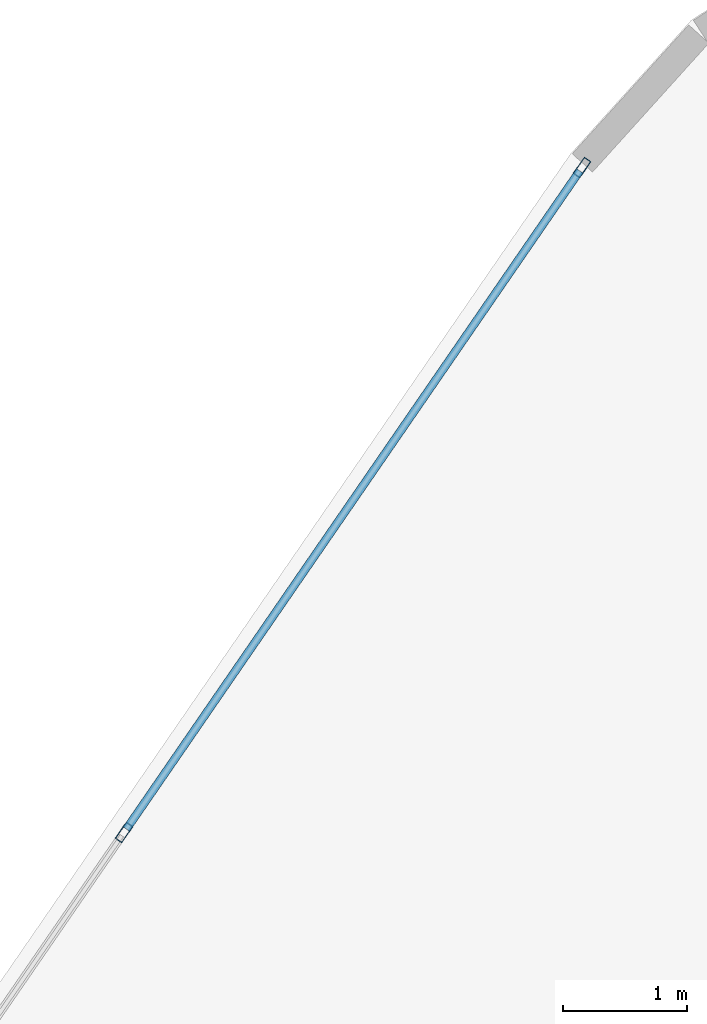
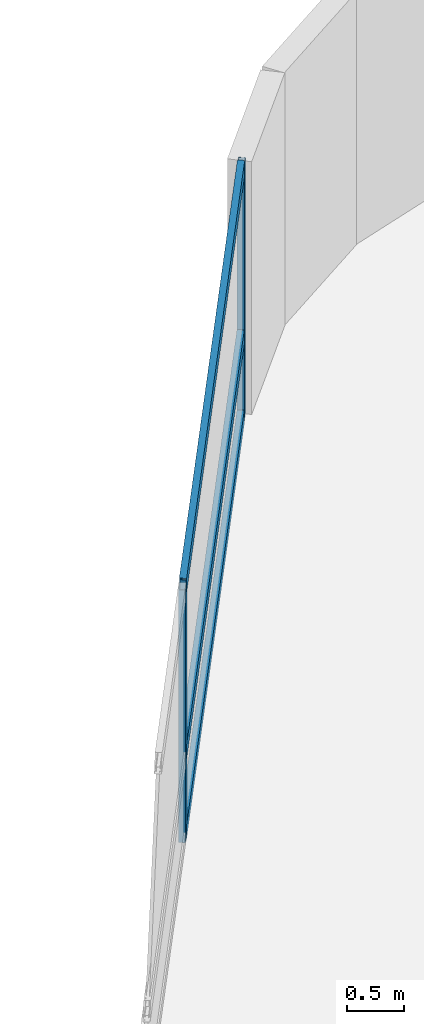
# One storey, part 17 of 26: 5 members, 1 element without a shape of its own.
"""IFC4 building model written with IfcOpenShell, lengths in metres."""

from ifc_helpers import new_model, si_unit, direction, frame, origin, origin_2d, place, context, subcontext, project, spatial, hollow_rectangle, extrude, material, layer, layer_set, material_profile, profile_set, type_object, element, aggregate, save


model = new_model("IFC4")

# Units and contexts
model_context = context("Model", 3, precision=1e-05, world=origin(), true_north=direction((0.0, 1.0)))
body_context = subcontext(model_context, "Body", "Model", "MODEL_VIEW")
ifc_project = project(units=[si_unit("LENGTHUNIT", "METRE"), si_unit("AREAUNIT", "SQUARE_METRE"), si_unit("VOLUMEUNIT", "CUBIC_METRE"), si_unit("PLANEANGLEUNIT", "RADIAN"), si_unit("MASSUNIT", "GRAM", prefix="KILO")], contexts=[model_context])

# Site, building, storey
site_placement = place(None, origin())
site = spatial("IfcSite", under=ifc_project, at=site_placement, CompositionType="ELEMENT")
building_placement = place(site_placement, origin())
building = spatial("IfcBuilding", under=site, at=building_placement, Name="Varnelok Gate Tower", CompositionType="ELEMENT")
storey_placement = place(building_placement, frame((0.0, 0.0, 45.5)))
storey = spatial("IfcBuildingStorey", under=building, at=storey_placement, Name="L10", CompositionType="ELEMENT", Elevation=45.5)

# Curtain wall, members
ifc_material = material(Name="Anodized Aluminum Alloy 6063-T6", Category="aluminium")
ifc_layer = layer(ifc_material, 0.179931640625)
ifc_layer_set = layer_set([ifc_layer], Name="Anodized Aluminum Alloy 6063-T6")
curtain_wall_type = type_object("IfcCurtainWallType", Name="CW3-HOTEL-VISION", PredefinedType="USERDEFINED", material=ifc_layer_set)
curtain_wall_placement = place(storey_placement, origin())
curtain_wall = element("IfcCurtainWall", 1, at=curtain_wall_placement, inside=storey, type_object=curtain_wall_type, Name="L10 West End Vision Curtain Wall", ObjectType="UNITISED CURTAIN WALL", PredefinedType="USERDEFINED")
ifc_material_profile_1 = material_profile(ifc_material, hollow_rectangle(XDim=0.06494140625, YDim=0.159912109375, WallThickness=0.00390625, at=origin_2d()), Name="ALU160X65X4")
ifc_profile_set_1 = profile_set([ifc_material_profile_1], Name="Anodized Aluminum Alloy 6063-T6")
member_type_1 = type_object("IfcMemberType", Name="CW-MULL-160", PredefinedType="MULLION", material=ifc_profile_set_1)
member_1_placement = place(storey_placement, frame((14.48291015625, 58.273193359375, 0.0), z_axis=(0.0, 0.0, 1.0), x_axis=(-0.823532685111, 0.567268822124, 0.0)))
member_1 = element("IfcMember", 2, at=member_1_placement, type_object=member_type_1, Name="CW3 mullion 6", PredefinedType="MULLION", context=body_context, shape_type="SweptSolid", body=[
    extrude(hollow_rectangle(XDim=0.06494140625, YDim=0.159912109375, WallThickness=0.00390625, at=origin_2d()), origin(), (0.0, 0.0, 1.0), 2.72998046875),
])
member_2_placement = place(storey_placement, frame((18.189453125, 63.654296875, 0.0), z_axis=(0.0, 0.0, 1.0), x_axis=(-0.823532685111, 0.567268822124, 0.0)))
member_2 = element("IfcMember", 3, at=member_2_placement, type_object=member_type_1, Name="CW3 mullion 7", PredefinedType="MULLION", context=body_context, shape_type="SweptSolid", body=[
    extrude(hollow_rectangle(XDim=0.06494140625, YDim=0.159912109375, WallThickness=0.00390625, at=origin_2d()), origin(), (0.0, 0.0, 1.0), 2.72998046875),
])
ifc_material_profile_2 = material_profile(ifc_material, hollow_rectangle(XDim=0.06494140625, YDim=0.159912109375, WallThickness=0.00390625, at=origin_2d()), Name="ALU160X65X4")
ifc_profile_set_2 = profile_set([ifc_material_profile_2], Name="Anodized Aluminum Alloy 6063-T6")
member_type_2 = type_object("IfcMemberType", Name="CW-TRAN-160", PredefinedType="USERDEFINED", material=ifc_profile_set_2)
member_3_placement = place(storey_placement, frame((14.50146484375, 58.300048828125, 0.032470703125), z_axis=(0.567255754851, 0.823541686006, 0.0), x_axis=(-0.823541686006, 0.567255754851, 0.0)))
member_3 = element("IfcMember", 4, at=member_3_placement, type_object=member_type_2, Name="CW3 transom 6.1", ObjectType="TRANSOM", PredefinedType="USERDEFINED", context=body_context, shape_type="SweptSolid", body=[
    extrude(hollow_rectangle(XDim=0.06494140625, YDim=0.159912109375, WallThickness=0.00390625, at=origin_2d()), origin(), (0.0, 0.0, 1.0), 6.46923828125),
])
member_4_placement = place(storey_placement, frame((14.50146484375, 58.300048828125, 0.89990234375), z_axis=(0.567255754851, 0.823541686006, 0.0), x_axis=(-0.823541686006, 0.567255754851, 0.0)))
member_4 = element("IfcMember", 5, at=member_4_placement, type_object=member_type_2, Name="CW3 transom 6.2", ObjectType="TRANSOM", PredefinedType="USERDEFINED", context=body_context, shape_type="SweptSolid", body=[
    extrude(hollow_rectangle(XDim=0.06494140625, YDim=0.159912109375, WallThickness=0.00390625, at=origin_2d()), origin(), (0.0, 0.0, 1.0), 6.46923828125),
])
member_5_placement = place(storey_placement, frame((14.50146484375, 58.300048828125, 2.697509765625), z_axis=(0.567255754851, 0.823541686006, 0.0), x_axis=(-0.823541686006, 0.567255754851, 0.0)))
member_5 = element("IfcMember", 6, at=member_5_placement, type_object=member_type_2, Name="CW3 transom 6.3", ObjectType="TRANSOM", PredefinedType="USERDEFINED", context=body_context, shape_type="SweptSolid", body=[
    extrude(hollow_rectangle(XDim=0.06494140625, YDim=0.159912109375, WallThickness=0.00390625, at=origin_2d()), origin(), (0.0, 0.0, 1.0), 6.46923828125),
])
aggregate(curtain_wall, [member_1, member_2, member_3, member_4, member_5])

save(model, "model.ifc")
